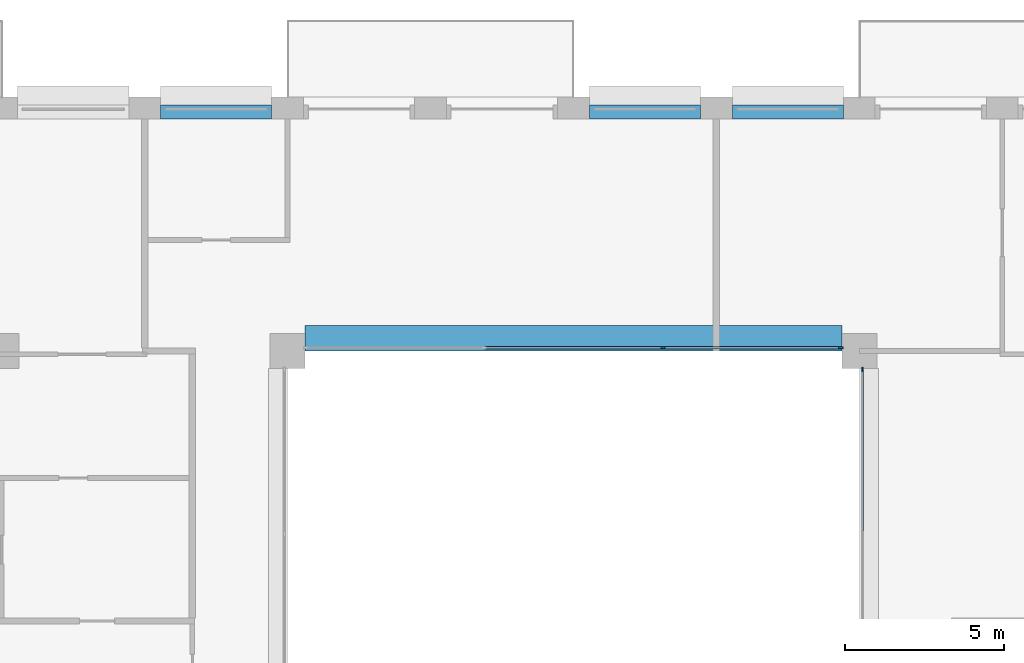
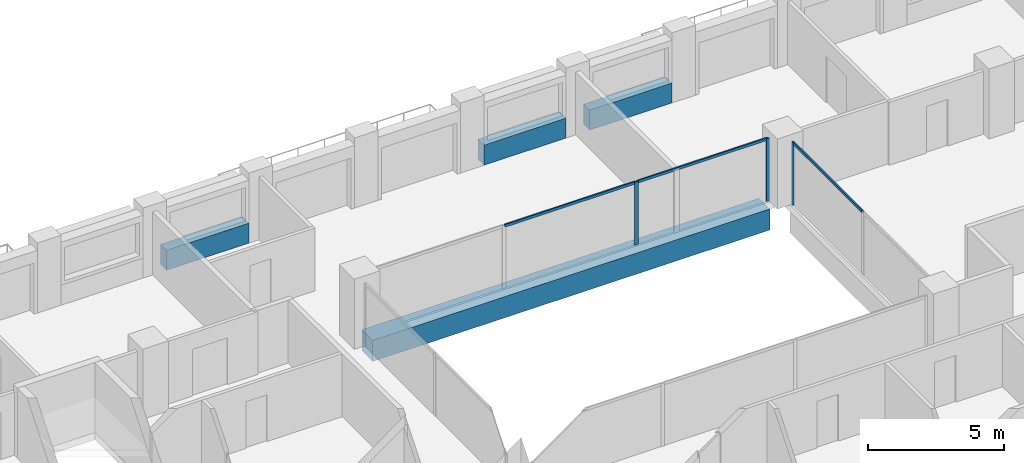
# One storey, part 6 of 16: 6 members, 4 beams, 2 elements without a shape of their own.
"""IFC4 building model written with IfcOpenShell, lengths in metres."""

from ifc_helpers import new_model, si_unit, direction, frame, origin, origin_2d, place, context, subcontext, project, spatial, rectangle, extrude, material, layer, layer_set, material_profile, profile_set, type_object, element, aggregate, save


model = new_model("IFC4")

# Units and contexts
model_context = context("Model", 3, precision=1e-05, world=origin(), true_north=direction((0.0, 1.0)))
body_context = subcontext(model_context, "Body", "Model", "MODEL_VIEW")
ifc_project = project(units=[si_unit("LENGTHUNIT", "METRE"), si_unit("AREAUNIT", "SQUARE_METRE"), si_unit("VOLUMEUNIT", "CUBIC_METRE"), si_unit("PLANEANGLEUNIT", "RADIAN"), si_unit("MASSUNIT", "GRAM", prefix="KILO")], contexts=[model_context])

# Site, building, storey
site_placement = place(None, origin())
site = spatial("IfcSite", under=ifc_project, at=site_placement, CompositionType="ELEMENT")
building_placement = place(site_placement, origin())
building = spatial("IfcBuilding", under=site, at=building_placement, Name="Brigalow Station Residences", CompositionType="ELEMENT")
storey_placement = place(building_placement, frame((0.0, 0.0, 179.10009765625)))
storey = spatial("IfcBuildingStorey", under=building, at=storey_placement, Name="L52", CompositionType="ELEMENT", Elevation=179.10009765625)

# Beam
ifc_material_1 = material(Name="Concrete C65", Category="concrete")
ifc_material_profile_1 = material_profile(ifc_material_1, rectangle(XDim=0.800048828125, YDim=0.949951171875, at=origin_2d()), Name="RC800x950")
ifc_profile_set_1 = profile_set([ifc_material_profile_1], Name="Concrete C65")
beam_type_1 = type_object("IfcBeamType", Name="ATRIUM EDGE GIRDER OVER 13.5 M SPAN 800x950 C65", PredefinedType="BEAM", material=ifc_profile_set_1)
beam_placement = place(storey_placement, frame((27.550048828125, 35.89990234375, -0.795166015625), z_axis=(1.0, 0.0, 0.0), x_axis=(0.0, 1.0, 0.0)))
element("IfcBeam", 1, at=beam_placement, inside=storey, type_object=beam_type_1, Name="ATRIUM EDGE GIRDER D L52", PredefinedType="BEAM", context=body_context, shape_type="SweptSolid", body=[
    extrude(rectangle(XDim=0.800048828125, YDim=0.949951171875, at=origin_2d()), origin(), (0.0, 0.0, 1.0), 16.89990234375),
])

# Curtain wall, member
ifc_material_2 = material(Name="Aluminium", Category="aluminium")
ifc_layer = layer(ifc_material_2, 0.14990234375)
ifc_layer_set = layer_set([ifc_layer], Name="ATRIUM FIRE-RATED GLAZING CURTAIN WALL")
curtain_wall_type = type_object("IfcCurtainWallType", Name="ATRIUM FIRE-RATED GLAZING CURTAIN WALL", PredefinedType="NOTDEFINED", material=ifc_layer_set)
curtain_wall_1_placement = place(storey_placement, origin())
curtain_wall_1 = element("IfcCurtainWall", 2, at=curtain_wall_1_placement, inside=storey, type_object=curtain_wall_type, Name="L52/cw/atrium-E", PredefinedType="NOTDEFINED")
ifc_material_3 = material(Name="Aluminium", Category="aluminium")
ifc_material_profile_2 = material_profile(ifc_material_3, rectangle(XDim=0.06005859375, YDim=0.14990234375, at=origin_2d()), Name="ATRIUM FIRE-RATED GLAZING MULLION 60x150")
ifc_profile_set_2 = profile_set([ifc_material_profile_2], Name="Aluminium")
member_type_1 = type_object("IfcMemberType", Name="ATRIUM FIRE-RATED GLAZING MULLION 60x150", PredefinedType="MULLION", material=ifc_profile_set_2)
member_1_placement = place(storey_placement, frame((45.10009765625, 34.919921875, 0.0), z_axis=(0.0, 0.0, 1.0), x_axis=(-1.0, 0.0, 0.0)))
member_1 = element("IfcMember", 3, at=member_1_placement, type_object=member_type_1, Name="L52/cw/atrium-E/M02", PredefinedType="MULLION", context=body_context, shape_type="SweptSolid", body=[
    extrude(rectangle(XDim=0.06005859375, YDim=0.14990234375, at=origin_2d()), origin(), (0.0, 0.0, 1.0), 2.829833984375),
])

# Curtain wall, members
curtain_wall_2_placement = place(storey_placement, origin())
curtain_wall_2 = element("IfcCurtainWall", 4, at=curtain_wall_2_placement, inside=storey, type_object=curtain_wall_type, Name="L52/cw/atrium-N", PredefinedType="NOTDEFINED")
member_2_placement = place(storey_placement, frame((44.419921875, 35.60009765625, 0.0), z_axis=(0.0, 0.0, 1.0), x_axis=(0.0, -1.0, 0.0)))
member_2 = element("IfcMember", 5, at=member_2_placement, type_object=member_type_1, Name="L52/cw/atrium-N/M00", PredefinedType="MULLION", context=body_context, shape_type="SweptSolid", body=[
    extrude(rectangle(XDim=0.06005859375, YDim=0.14990234375, at=origin_2d()), origin(), (0.0, 0.0, 1.0), 2.829833984375),
])
member_3_placement = place(storey_placement, frame((38.816650390625, 35.60009765625, 0.0), z_axis=(0.0, 0.0, 1.0), x_axis=(0.0, -1.0, 0.0)))
member_3 = element("IfcMember", 6, at=member_3_placement, type_object=member_type_1, Name="L52/cw/atrium-N/M01", PredefinedType="MULLION", context=body_context, shape_type="SweptSolid", body=[
    extrude(rectangle(XDim=0.06005859375, YDim=0.14990234375, at=origin_2d()), origin(), (0.0, 0.0, 1.0), 2.829833984375),
])

# Member
ifc_material_4 = material(Name="Aluminium", Category="aluminium")
ifc_material_profile_3 = material_profile(ifc_material_4, rectangle(XDim=0.06005859375, YDim=0.1201171875, at=origin_2d()), Name="ATRIUM FIRE-RATED GLAZING TRANSOM 60x120")
ifc_profile_set_3 = profile_set([ifc_material_profile_3], Name="Aluminium")
member_type_2 = type_object("IfcMemberType", Name="ATRIUM FIRE-RATED GLAZING TRANSOM 60x120", PredefinedType="USERDEFINED", material=ifc_profile_set_3)
member_4_placement = place(storey_placement, frame((45.10009765625, 29.780029296875, 2.7998046875), z_axis=(0.0, 1.0, 0.0), x_axis=(-1.0, 0.0, 0.0)))
member_4 = element("IfcMember", 7, at=member_4_placement, type_object=member_type_2, Name="L52/cw/atrium-E/T01-00", ObjectType="TRANSOM", PredefinedType="USERDEFINED", context=body_context, shape_type="SweptSolid", body=[
    extrude(rectangle(XDim=0.06005859375, YDim=0.1201171875, at=origin_2d()), origin(), (0.0, 0.0, 1.0), 5.10986328125),
])

aggregate(curtain_wall_1, [member_1, member_4])

member_5_placement = place(storey_placement, frame((44.389892578125, 35.60009765625, 2.7998046875), z_axis=(-1.0, 0.0, 0.0), x_axis=(0.0, -1.0, 0.0)))
member_5 = element("IfcMember", 8, at=member_5_placement, type_object=member_type_2, Name="L52/cw/atrium-N/T00-00", ObjectType="TRANSOM", PredefinedType="USERDEFINED", context=body_context, shape_type="SweptSolid", body=[
    extrude(rectangle(XDim=0.06005859375, YDim=0.1201171875, at=origin_2d()), origin(), (0.0, 0.0, 1.0), 5.543212890625),
])

member_6_placement = place(storey_placement, frame((38.78662109375, 35.60009765625, 2.7998046875), z_axis=(-1.0, 0.0, 0.0), x_axis=(0.0, -1.0, 0.0)))
member_6 = element("IfcMember", 9, at=member_6_placement, type_object=member_type_2, Name="L52/cw/atrium-N/T01-00", ObjectType="TRANSOM", PredefinedType="USERDEFINED", context=body_context, shape_type="SweptSolid", body=[
    extrude(rectangle(XDim=0.06005859375, YDim=0.1201171875, at=origin_2d()), origin(), (0.0, 0.0, 1.0), 5.5732421875),
])

aggregate(curtain_wall_2, [member_2, member_3, member_5, member_6])

# Beams
ifc_material_5 = material(Name="Concrete C50", Category="concrete")
ifc_material_profile_4 = material_profile(ifc_material_5, rectangle(XDim=0.449951171875, YDim=0.89990234375, at=origin_2d()), Name="RC450x900")
ifc_profile_set_4 = profile_set([ifc_material_profile_4], Name="Concrete C50")
beam_type_2 = type_object("IfcBeamType", Name="SPANDREL BEAM 450x900 C50", PredefinedType="SPANDREL", material=ifc_profile_set_4)
for number, where, z_axis, x_axis, name in (
    (10, (44.5, 43.02490234375, 0.449951171875), (-1.0, 0.0, 0.0), (0.0, -1.0, 0.0), "L52/spandrel/W-L52-27"),
    (11, (40.0, 43.02490234375, 0.449951171875), (-1.0, 0.0, 0.0), (0.0, -1.0, 0.0), "L52/spandrel/W-L52-28"),
    (12, (26.5, 43.02490234375, 0.449951171875), (-1.0, 0.0, 0.0), (0.0, -1.0, 0.0), "L52/spandrel/W-L52-31"),
):
    element("IfcBeam", number, at=place(storey_placement, frame(where, z_axis=z_axis, x_axis=x_axis)), inside=storey, type_object=beam_type_2, Name=name, PredefinedType="SPANDREL", context=body_context, shape_type="SweptSolid", body=[
        extrude(rectangle(XDim=0.449951171875, YDim=0.89990234375, at=origin_2d()), origin(), (0.0, 0.0, 1.0), 3.5),
    ])

save(model, "model.ifc")
